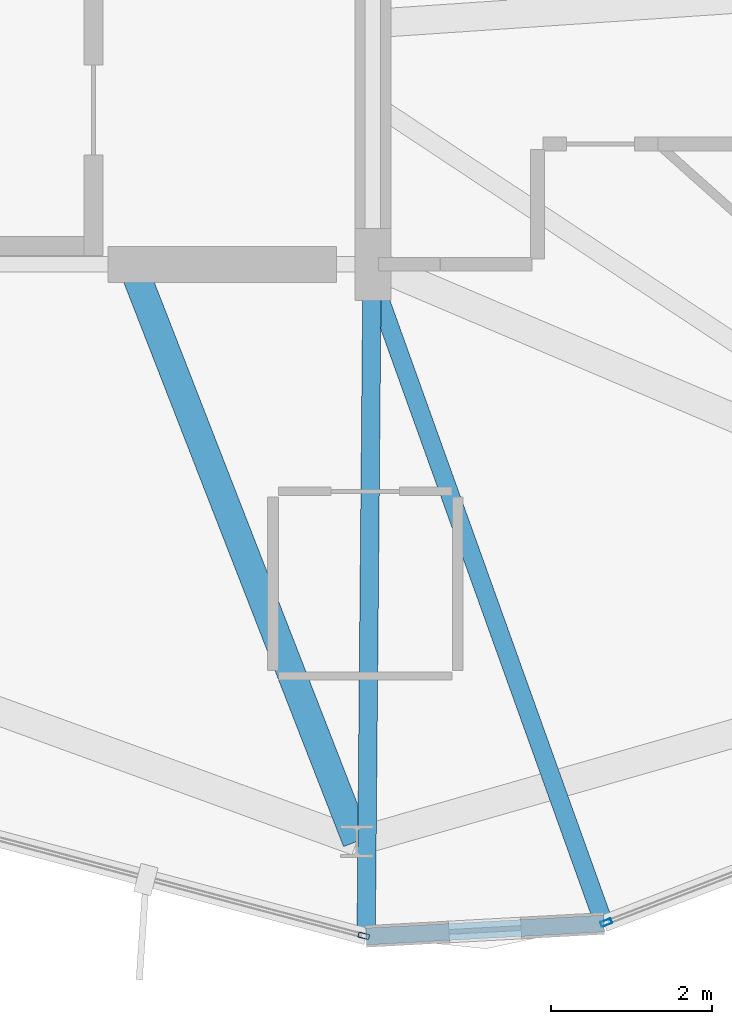
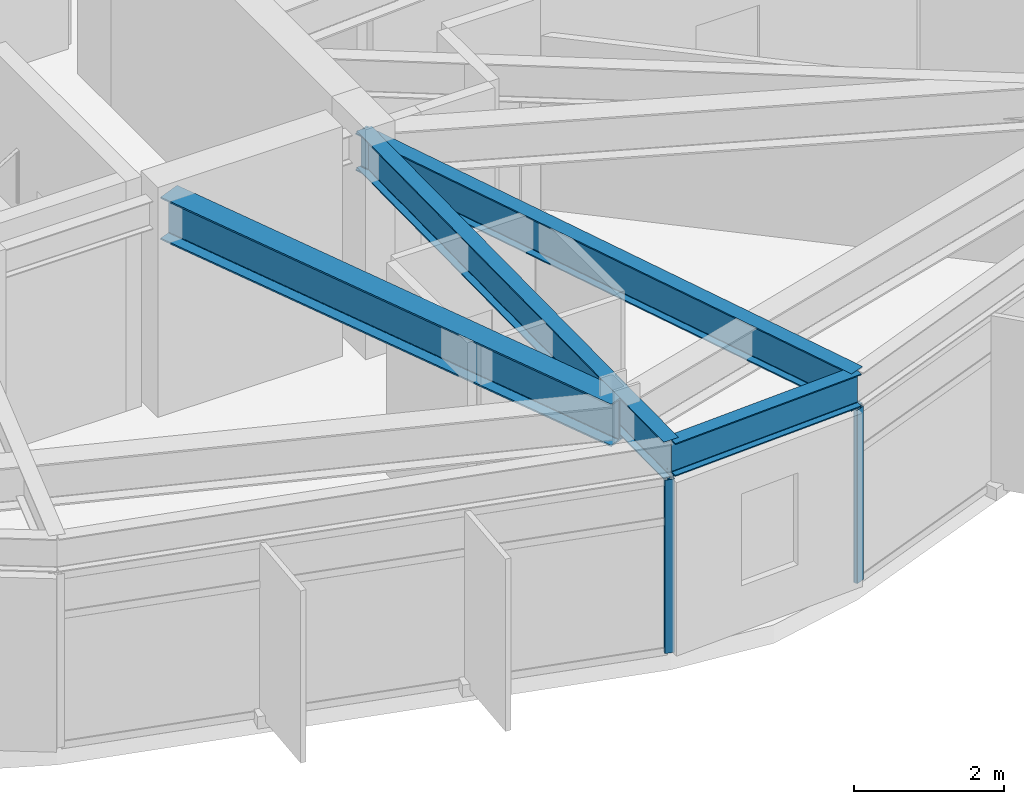
# One storey, part 5 of 26: 4 beams, 2 members, 2 elements without a shape of their own.
"""IFC4 building model written with IfcOpenShell, lengths in metres."""

from ifc_helpers import new_model, si_unit, direction, frame, origin, origin_2d, place, context, subcontext, project, spatial, hollow_rectangle, i_section, extrude, material, layer, layer_set, material_profile, profile_set, type_object, element, aggregate, save


model = new_model("IFC4")

# Units and contexts
model_context = context("Model", 3, precision=1e-05, world=origin(), true_north=direction((0.0, 1.0)))
body_context = subcontext(model_context, "Body", "Model", "MODEL_VIEW")
ifc_project = project(units=[si_unit("LENGTHUNIT", "METRE"), si_unit("AREAUNIT", "SQUARE_METRE"), si_unit("VOLUMEUNIT", "CUBIC_METRE"), si_unit("PLANEANGLEUNIT", "RADIAN"), si_unit("MASSUNIT", "GRAM", prefix="KILO")], contexts=[model_context])

# Site, building, storey
site_placement = place(None, origin())
site = spatial("IfcSite", under=ifc_project, at=site_placement, CompositionType="ELEMENT")
building_placement = place(site_placement, origin())
building = spatial("IfcBuilding", under=site, at=building_placement, Name="Soratama Intermodal Tower", CompositionType="ELEMENT")
storey_placement = place(building_placement, frame((0.0, 0.0, 242.5)))
storey = spatial("IfcBuildingStorey", under=building, at=storey_placement, Name="L61", CompositionType="ELEMENT", Elevation=242.5)

# Beams
ifc_material_1 = material(Name="Structural steel ASTM A992 Grade 50", Category="steel")
ifc_material_profile_1 = material_profile(ifc_material_1, i_section(OverallWidth=0.35498046875, OverallDepth=0.695068359375, WebThickness=0.015380859375, FlangeThickness=0.02490234375, FilletRadius=0.01611328125, at=origin_2d()), Name="W27X146")
ifc_profile_set_1 = profile_set([ifc_material_profile_1], Name="Structural steel ASTM A992 Grade 50")
beam_type_1 = type_object("IfcBeamType", Name="BM-RING-W27X146", PredefinedType="BEAM", material=ifc_profile_set_1)
beam_1_placement = place(storey_placement, frame((41.60009765625, 15.0, 3.1025390625), z_axis=(0.362907405592, -0.931825206231, 0.0), x_axis=(0.931825206231, 0.362907405592, 0.0)))
element("IfcBeam", 1, at=beam_1_placement, inside=storey, type_object=beam_type_1, Name="BM-L61-RAD-08", PredefinedType="BEAM", context=body_context, shape_type="SweptSolid", body=[
    extrude(i_section(OverallWidth=0.35498046875, OverallDepth=0.695068359375, WebThickness=0.015380859375, FlangeThickness=0.02490234375, FilletRadius=0.01611328125, at=origin_2d()), origin(), (0.0, 0.0, 1.0), 7.71484375),
])
ifc_material_2 = material(Name="Structural steel ASTM A992 Grade 50", Category="steel")
ifc_material_profile_2 = material_profile(ifc_material_2, i_section(OverallWidth=0.2099609375, OverallDepth=0.537109375, WebThickness=0.010986328125, FlangeThickness=0.017333984375, FilletRadius=0.012939453125, at=origin_2d()), Name="W21X68")
ifc_profile_set_2 = profile_set([ifc_material_profile_2], Name="Structural steel ASTM A992 Grade 50")
beam_type_2 = type_object("IfcBeamType", Name="BM-SPN-W21X68", PredefinedType="SPANDREL", material=ifc_profile_set_2)
beam_2_placement = place(storey_placement, frame((44.51611328125, 6.6279296875, 3.181396484375), z_axis=(0.99850559953, 0.054649498688, 0.0), x_axis=(-0.054649498688, 0.99850559953, 0.0)))
element("IfcBeam", 2, at=beam_2_placement, inside=storey, type_object=beam_type_2, Name="BS-L61-CRN06", PredefinedType="SPANDREL", context=body_context, shape_type="SweptSolid", body=[
    extrude(i_section(OverallWidth=0.2099609375, OverallDepth=0.537109375, WebThickness=0.010986328125, FlangeThickness=0.017333984375, FilletRadius=0.012939453125, at=origin_2d()), origin(), (0.0, 0.0, 1.0), 2.96630859375),
])
ifc_material_3 = material(Name="Structural steel ASTM A992 Grade 50", Category="steel")
ifc_material_profile_3 = material_profile(ifc_material_3, i_section(OverallWidth=0.22900390625, OverallDepth=0.612060546875, WebThickness=0.011962890625, FlangeThickness=0.01953125, FilletRadius=0.012939453125, at=origin_2d()), Name="W24X84")
ifc_profile_set_3 = profile_set([ifc_material_profile_3], Name="Structural steel ASTM A992 Grade 50")
beam_type_3 = type_object("IfcBeamType", Name="BM-TIE-W24X84", PredefinedType="BEAM", material=ifc_profile_set_3)
beam_3_placement = place(storey_placement, frame((44.590087890625, 14.9599609375, 3.14404296875), z_axis=(-0.008877990469, -0.999960589866, 0.0), x_axis=(0.999960589866, -0.008877990469, 0.0)))
element("IfcBeam", 3, at=beam_3_placement, inside=storey, type_object=beam_type_3, Name="BM-L61-TIE1-06", PredefinedType="BEAM", context=body_context, shape_type="SweptSolid", body=[
    extrude(i_section(OverallWidth=0.22900390625, OverallDepth=0.612060546875, WebThickness=0.011962890625, FlangeThickness=0.01953125, FilletRadius=0.012939453125, at=origin_2d()), origin(), (0.0, 0.0, 1.0), 8.332275390625),
])
beam_4_placement = place(storey_placement, frame((44.5439453125, 14.9619140625, 3.14404296875), z_axis=(0.33792478868, -0.941173117548, 0.0), x_axis=(0.941173117548, 0.33792478868, 0.0)))
element("IfcBeam", 4, at=beam_4_placement, inside=storey, type_object=beam_type_3, Name="BM-L61-TIE0-07", PredefinedType="BEAM", context=body_context, shape_type="SweptSolid", body=[
    extrude(i_section(OverallWidth=0.22900390625, OverallDepth=0.612060546875, WebThickness=0.011962890625, FlangeThickness=0.01953125, FilletRadius=0.012939453125, at=origin_2d()), origin(), (0.0, 0.0, 1.0), 8.6826171875),
])

# Curtain wall, member
ifc_material_4 = material(Name="Double-glazed aluminium curtain wall", Category="aluminium")
ifc_layer = layer(ifc_material_4, 0.159912109375)
ifc_layer_set = layer_set([ifc_layer], Name="Double-glazed aluminium curtain wall")
curtain_wall_type = type_object("IfcCurtainWallType", Name="CW-SYS-5", PredefinedType="NOTDEFINED", material=ifc_layer_set)
curtain_wall_1_placement = place(storey_placement, origin())
curtain_wall_1 = element("IfcCurtainWall", 5, at=curtain_wall_1_placement, inside=storey, type_object=curtain_wall_type, Name="L61 Faceted Curtain Wall F06", PredefinedType="NOTDEFINED")
ifc_material_5 = material(Name="Anodised aluminium AA 6063-T6", Category="aluminium")
ifc_material_profile_4 = material_profile(ifc_material_5, hollow_rectangle(XDim=0.06494140625, YDim=0.139892578125, WallThickness=0.0048828125, InnerFilletRadius=0.0048828125, OuterFilletRadius=0.010009765625, at=origin_2d()), Name="CWM140X65X5")
ifc_profile_set_4 = profile_set([ifc_material_profile_4], Name="Anodised aluminium AA 6063-T6")
member_type = type_object("IfcMemberType", Name="MT-CWM-5", PredefinedType="MULLION", material=ifc_profile_set_4)
member_1_placement = place(storey_placement, frame((44.48681640625, 6.635986328125, 0.0), z_axis=(0.0, 0.0, 1.0), x_axis=(0.256793356401, 0.966466332631, 0.0)))
member_1 = element("IfcMember", 6, at=member_1_placement, type_object=member_type, Name="CW-5 mullion 2", PredefinedType="MULLION", context=body_context, shape_type="SweptSolid", body=[
    extrude(hollow_rectangle(XDim=0.06494140625, YDim=0.139892578125, WallThickness=0.0048828125, InnerFilletRadius=0.0048828125, OuterFilletRadius=0.010009765625, at=origin_2d()), origin(), (0.0, 0.0, 1.0), 2.8291015625),
])
aggregate(curtain_wall_1, [member_1])

curtain_wall_2_placement = place(storey_placement, origin())
curtain_wall_2 = element("IfcCurtainWall", 7, at=curtain_wall_2_placement, inside=storey, type_object=curtain_wall_type, Name="L61 Faceted Curtain Wall F07", PredefinedType="NOTDEFINED")
member_2_placement = place(storey_placement, frame((47.506103515625, 6.800537109375, 0.0), z_axis=(0.0, 0.0, 1.0), x_axis=(-0.360327619849, 0.932825817811, 0.0)))
member_2 = element("IfcMember", 8, at=member_2_placement, type_object=member_type, Name="CW-5 mullion 1", PredefinedType="MULLION", context=body_context, shape_type="SweptSolid", body=[
    extrude(hollow_rectangle(XDim=0.06494140625, YDim=0.139892578125, WallThickness=0.0048828125, InnerFilletRadius=0.0048828125, OuterFilletRadius=0.010009765625, at=origin_2d()), origin(), (0.0, 0.0, 1.0), 2.8291015625),
])
aggregate(curtain_wall_2, [member_2])

save(model, "model.ifc")
